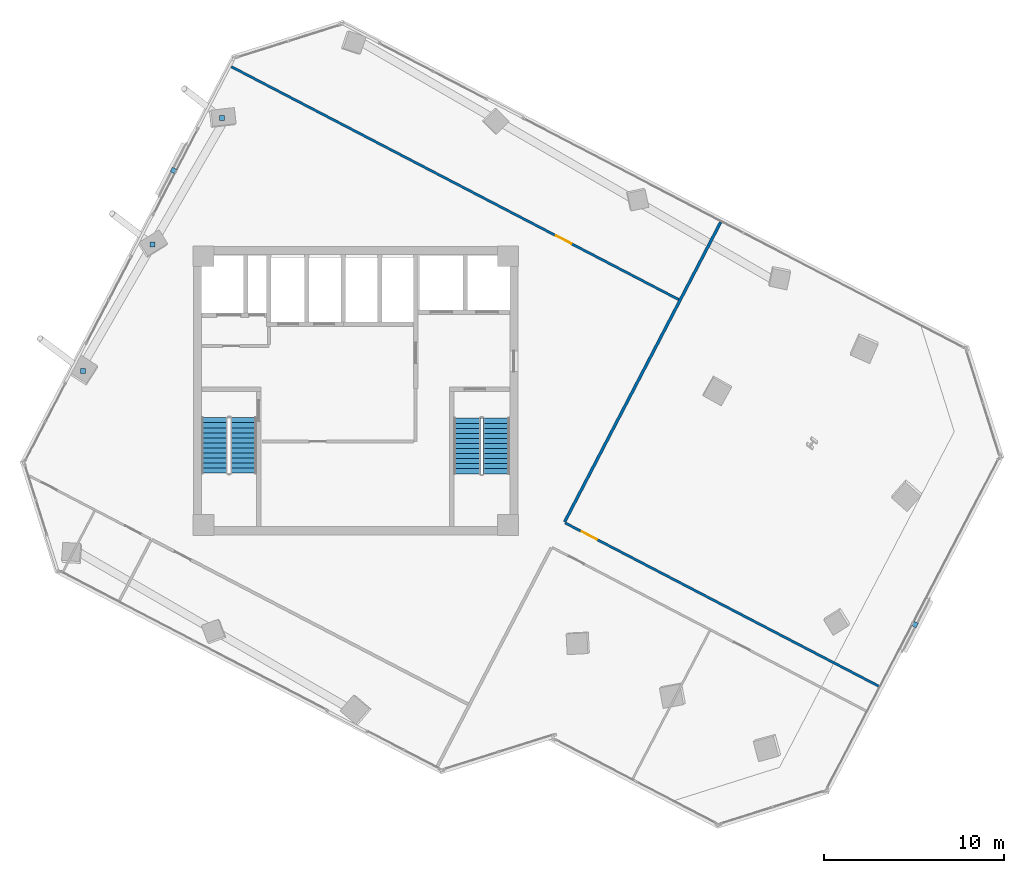
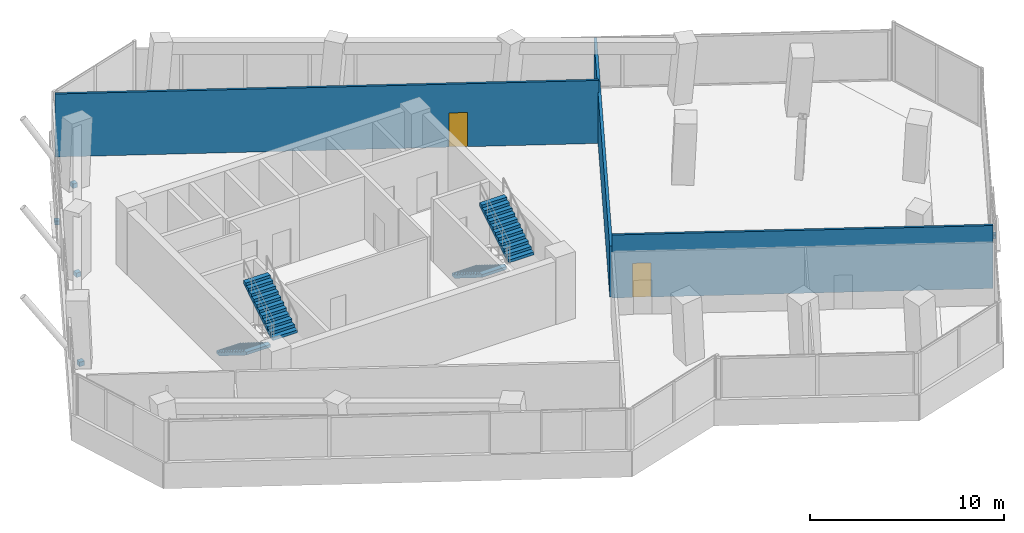
# One storey, part 18 of 22: 5 discrete accessories, 4 stair flights, 3 walls, 2 doors, 2 openings, 2 elements without a shape of their own.
"""IFC4 building model written with IfcOpenShell, lengths in metres."""

from ifc_helpers import new_model, si_unit, direction, frame, frame_2d, origin, origin_2d, place, context, subcontext, project, spatial, polyline, rectangle, outline, extrude, source, transform, mapped, material, layer, layer_set, type_object, element, fill, aggregate, save


model = new_model("IFC4")

# Units and contexts
model_context = context("Model", 3, precision=1e-05, world=origin(), true_north=direction((0.0, 1.0)))
body_context = subcontext(model_context, "Body", "Model", "MODEL_VIEW")
ifc_project = project(units=[si_unit("LENGTHUNIT", "METRE"), si_unit("AREAUNIT", "SQUARE_METRE"), si_unit("VOLUMEUNIT", "CUBIC_METRE"), si_unit("PLANEANGLEUNIT", "RADIAN"), si_unit("MASSUNIT", "GRAM", prefix="KILO")], contexts=[model_context])

# Site, building, storey
site_placement = place(None, origin())
site = spatial("IfcSite", under=ifc_project, at=site_placement, CompositionType="ELEMENT")
building_placement = place(site_placement, origin())
building = spatial("IfcBuilding", under=site, at=building_placement, Name="Torre Montelarca", CompositionType="ELEMENT")
storey_placement = place(building_placement, frame((0.0, 0.0, 175.0)))
storey = spatial("IfcBuildingStorey", under=building, at=storey_placement, Name="L39", CompositionType="ELEMENT", Elevation=175.0)

# Wall
ifc_material_1 = material(Name="Gypsum plasterboard on steel stud", Category="steel")
ifc_layer_1 = layer(ifc_material_1, 0.159912109375, Name="Gypsum plasterboard on steel stud", Category="steel")
ifc_layer_set_1 = layer_set([ifc_layer_1], Name="Gypsum plasterboard on steel stud")
wall_type_1 = type_object("IfcWallType", Name="PW-FIRE-160", PredefinedType="PARTITIONING", material=ifc_layer_set_1)
wall_1_placement = place(storey_placement, frame((29.59326171875, 24.720458984375, 0.0), z_axis=(0.0, 0.0, 1.0), x_axis=(0.461745249096, 0.88701258443, 0.0)))
element("IfcWall", 1, at=wall_1_placement, inside=storey, type_object=wall_type_1, Name="L39 Interior Partition W-L39-ECN", PredefinedType="PARTITIONING", context=body_context, shape_type="SweptSolid", body=[
    extrude(rectangle(XDim=18.739990234375, YDim=0.159912109375, at=frame_2d((9.3701171875, 0.0))), origin(), (0.0, 0.0, 1.0), 3.195068359375),
])

# Wall, opening, door
ifc_layer_2 = layer(ifc_material_1, 0.135009765625, Name="Gypsum plasterboard on steel stud", Category="steel")
ifc_layer_set_2 = layer_set([ifc_layer_2], Name="Gypsum plasterboard on steel stud")
wall_type_2 = type_object("IfcWallType", Name="PW-PART-135", PredefinedType="PARTITIONING", material=ifc_layer_set_2)
wall_2_placement = place(storey_placement, frame((11.103515625, 49.97119140625, 0.0), z_axis=(0.0, 0.0, 1.0), x_axis=(0.887010001249, -0.461750211353, 0.0)))
wall_2 = element("IfcWall", 2, at=wall_2_placement, inside=storey, type_object=wall_type_2, Name="L39 Interior Partition W-L39-NBOT", PredefinedType="PARTITIONING", context=body_context, shape_type="SweptSolid", body=[
    extrude(rectangle(XDim=28.02001953125, YDim=0.135009765625, at=frame_2d((14.010009765625, 0.0))), origin(), (0.0, 0.0, 1.0), 3.9599609375),
])
opening_1_placement = place(wall_2_placement, frame((20.31005859375, 0.0, 0.0)))
opening_1 = element("IfcOpeningElement", 3, at=opening_1_placement, cuts=wall_2, Name="Opening ID-095", PredefinedType="OPENING", context=body_context, shape_type="SweptSolid", body=[
    extrude(rectangle(XDim=0.949951171875, YDim=2.14990234375, at=frame_2d((0.47509765625, 1.074951171875))), frame((0.0, 0.07763671875, 0.0), z_axis=(0.0, -1.0, 0.0), x_axis=(1.0, 0.0, 0.0)), (0.0, 0.0, 1.0), 0.155029296875),
])
ifc_material_2 = material(Name="Hardwood acoustic timber veneer", Category="wood")
door_type = type_object("IfcDoorType", Name="DR-INT-095", OperationType="NOTDEFINED", PredefinedType="DOOR", material=ifc_material_2)
shared_shape_1 = source(origin(), body_context, "Body", "SweptSolid", [
    extrude(rectangle(XDim=0.949951171875, YDim=2.14990234375, at=frame_2d((0.47509765625, 1.074951171875))), frame((0.0, 0.02490234375, 0.0), z_axis=(0.0, -1.0, 0.0), x_axis=(1.0, 0.0, 0.0)), (0.0, 0.0, 1.0), 0.050048828125),
])
door_1_placement = place(opening_1_placement, origin())
door_1 = element("IfcDoor", 4, at=door_1_placement, inside=storey, type_object=door_type, Name="L39 Interior Door 06", OperationType="SINGLE_SWING_LEFT", OverallHeight=2.14990234375, OverallWidth=0.949951171875, PredefinedType="DOOR", context=body_context, shape_type="MappedRepresentation", body=[
    mapped(shared_shape_1, transform((0.0, 0.0, 0.0), scale=1.0)),
])
fill(opening_1, door_1)

wall_3_placement = place(storey_placement, frame((29.610107421875, 24.66650390625, 0.0), z_axis=(0.0, 0.0, 1.0), x_axis=(0.887013798673, -0.461742916527, 0.0)))
wall_3 = element("IfcWall", 5, at=wall_3_placement, inside=storey, type_object=wall_type_2, Name="L39 Interior Partition W-L39-NE-S", PredefinedType="PARTITIONING", context=body_context, shape_type="SweptSolid", body=[
    extrude(rectangle(XDim=19.639892578125, YDim=0.135009765625, at=frame_2d((9.81982421875, 0.0))), origin(), (0.0, 0.0, 1.0), 3.9599609375),
])
opening_2_placement = place(wall_3_placement, frame((1.050048828125, 0.0, 0.0)))
opening_2 = element("IfcOpeningElement", 6, at=opening_2_placement, cuts=wall_3, Name="Opening ID-095", PredefinedType="OPENING", context=body_context, shape_type="SweptSolid", body=[
    extrude(rectangle(XDim=0.949951171875, YDim=2.14990234375, at=frame_2d((0.47509765625, 1.074951171875))), frame((0.0, 0.07763671875, 0.0), z_axis=(0.0, -1.0, 0.0), x_axis=(1.0, 0.0, 0.0)), (0.0, 0.0, 1.0), 0.155029296875),
])
door_2_placement = place(opening_2_placement, origin())
door_2 = element("IfcDoor", 7, at=door_2_placement, inside=storey, type_object=door_type, Name="L39 Interior Door 07", OperationType="SINGLE_SWING_LEFT", OverallHeight=2.14990234375, OverallWidth=0.949951171875, PredefinedType="DOOR", context=body_context, shape_type="MappedRepresentation", body=[
    mapped(shared_shape_1, transform((0.0, 0.0, 0.0), scale=1.0)),
])
fill(opening_2, door_2)

# Stair, stair flights
ifc_material_3 = material(Name="Concrete C40/50", Category="concrete")
stair_type_1 = type_object("IfcStairType", Name="ST-CORE-ST1", PredefinedType="HALF_TURN_STAIR", material=ifc_material_3)
stair_1_placement = place(storey_placement, origin())
stair_1 = element("IfcStair", 8, at=stair_1_placement, inside=storey, type_object=stair_type_1, Name="L39 Protected Exit Stair ST1", PredefinedType="HALF_TURN_STAIR")
stair_flight_type_1 = type_object("IfcStairFlightType", Name="SFL-CORE-ST1", PredefinedType="STRAIGHT", material=ifc_material_3)
stair_flight_1_placement = place(storey_placement, frame((10.175048828125, 30.5, 0.0), z_axis=(0.0, 0.0, 1.0), x_axis=(0.0, -1.0, 0.0)))
stair_flight_1 = element("IfcStairFlight", 9, at=stair_flight_1_placement, type_object=stair_flight_type_1, Name="ST1 flight 1", NumberOfRisers=12, NumberOfTreads=11, PredefinedType="STRAIGHT", RiserHeight=0.175, TreadLength=0.28, context=body_context, shape_type="SweptSolid", body=[
    extrude(outline(polyline([(0.0, 0.0), (0.0, 0.175048828125), (0.280029296875, 0.175048828125), (0.280029296875, 0.35009765625), (0.56005859375, 0.35009765625), (0.56005859375, 0.52490234375), (0.840087890625, 0.52490234375), (0.840087890625, 0.699951171875), (1.1201171875, 0.699951171875), (1.1201171875, 0.875), (1.39990234375, 0.875), (1.39990234375, 1.050048828125), (1.679931640625, 1.050048828125), (1.679931640625, 1.22509765625), (1.9599609375, 1.22509765625), (1.9599609375, 1.39990234375), (2.239990234375, 1.39990234375), (2.239990234375, 1.574951171875), (2.52001953125, 1.574951171875), (2.52001953125, 1.75), (2.800048828125, 1.75), (2.800048828125, 1.925048828125), (3.080078125, 1.925048828125), (3.080078125, 2.10009765625), (3.080078125, 1.748291015625), (0.28271484375, 0.0), (0.0, 0.0)])), frame((0.0, 0.72509765625, 0.0), z_axis=(0.0, -1.0, 0.0), x_axis=(1.0, 0.0, 0.0)), (0.0, 0.0, 1.0), 1.449951171875),
])
stair_flight_2_placement = place(storey_placement, frame((11.77490234375, 27.419921875, 2.10009765625), z_axis=(0.0, 0.0, 1.0), x_axis=(0.0, 1.0, 0.0)))
stair_flight_2 = element("IfcStairFlight", 10, at=stair_flight_2_placement, type_object=stair_flight_type_1, Name="ST1 flight 2", NumberOfRisers=12, NumberOfTreads=11, PredefinedType="STRAIGHT", RiserHeight=0.175, TreadLength=0.28, context=body_context, shape_type="SweptSolid", body=[
    extrude(outline(polyline([(0.0, 0.0), (0.0, 0.175048828125), (0.280029296875, 0.175048828125), (0.280029296875, 0.35009765625), (0.56005859375, 0.35009765625), (0.56005859375, 0.52490234375), (0.840087890625, 0.52490234375), (0.840087890625, 0.699951171875), (1.1201171875, 0.699951171875), (1.1201171875, 0.875), (1.39990234375, 0.875), (1.39990234375, 1.050048828125), (1.679931640625, 1.050048828125), (1.679931640625, 1.22509765625), (1.9599609375, 1.22509765625), (1.9599609375, 1.39990234375), (2.239990234375, 1.39990234375), (2.239990234375, 1.574951171875), (2.52001953125, 1.574951171875), (2.52001953125, 1.75), (2.800048828125, 1.75), (2.800048828125, 1.925048828125), (3.080078125, 1.925048828125), (3.080078125, 2.10009765625), (3.080078125, 1.748291015625), (0.28271484375, 0.0), (0.0, 0.0)])), frame((0.0, 0.72509765625, 0.0), z_axis=(0.0, -1.0, 0.0), x_axis=(1.0, 0.0, 0.0)), (0.0, 0.0, 1.0), 1.449951171875),
])
aggregate(stair_1, [stair_flight_1, stair_flight_2])

stair_type_2 = type_object("IfcStairType", Name="ST-CORE-ST2", PredefinedType="HALF_TURN_STAIR", material=ifc_material_3)
stair_2_placement = place(storey_placement, origin())
stair_2 = element("IfcStair", 11, at=stair_2_placement, inside=storey, type_object=stair_type_2, Name="L39 Protected Exit Stair ST2", PredefinedType="HALF_TURN_STAIR")
stair_flight_type_2 = type_object("IfcStairFlightType", Name="SFL-CORE-ST2", PredefinedType="STRAIGHT", material=ifc_material_3)
stair_flight_3_placement = place(storey_placement, frame((24.179931640625, 30.469970703125, 0.0), z_axis=(0.0, 0.0, 1.0), x_axis=(0.0, -1.0, 0.0)))
stair_flight_3 = element("IfcStairFlight", 12, at=stair_flight_3_placement, type_object=stair_flight_type_2, Name="ST2 flight 1", NumberOfRisers=12, NumberOfTreads=11, PredefinedType="STRAIGHT", RiserHeight=0.175, TreadLength=0.28, context=body_context, shape_type="SweptSolid", body=[
    extrude(outline(polyline([(0.0, 0.0), (0.0, 0.175048828125), (0.280029296875, 0.175048828125), (0.280029296875, 0.35009765625), (0.56005859375, 0.35009765625), (0.56005859375, 0.52490234375), (0.840087890625, 0.52490234375), (0.840087890625, 0.699951171875), (1.1201171875, 0.699951171875), (1.1201171875, 0.875), (1.39990234375, 0.875), (1.39990234375, 1.050048828125), (1.679931640625, 1.050048828125), (1.679931640625, 1.22509765625), (1.9599609375, 1.22509765625), (1.9599609375, 1.39990234375), (2.239990234375, 1.39990234375), (2.239990234375, 1.574951171875), (2.52001953125, 1.574951171875), (2.52001953125, 1.75), (2.800048828125, 1.75), (2.800048828125, 1.925048828125), (3.080078125, 1.925048828125), (3.080078125, 2.10009765625), (3.080078125, 1.748291015625), (0.28271484375, 0.0), (0.0, 0.0)])), frame((0.0, 0.739990234375, 0.0), z_axis=(0.0, -1.0, 0.0), x_axis=(1.0, 0.0, 0.0)), (0.0, 0.0, 1.0), 1.47998046875),
])
stair_flight_4_placement = place(storey_placement, frame((25.81005859375, 27.389892578125, 2.10009765625), z_axis=(0.0, 0.0, 1.0), x_axis=(0.0, 1.0, 0.0)))
stair_flight_4 = element("IfcStairFlight", 13, at=stair_flight_4_placement, type_object=stair_flight_type_2, Name="ST2 flight 2", NumberOfRisers=12, NumberOfTreads=11, PredefinedType="STRAIGHT", RiserHeight=0.175, TreadLength=0.28, context=body_context, shape_type="SweptSolid", body=[
    extrude(outline(polyline([(0.0, 0.0), (0.0, 0.175048828125), (0.280029296875, 0.175048828125), (0.280029296875, 0.35009765625), (0.56005859375, 0.35009765625), (0.56005859375, 0.52490234375), (0.840087890625, 0.52490234375), (0.840087890625, 0.699951171875), (1.1201171875, 0.699951171875), (1.1201171875, 0.875), (1.39990234375, 0.875), (1.39990234375, 1.050048828125), (1.679931640625, 1.050048828125), (1.679931640625, 1.22509765625), (1.9599609375, 1.22509765625), (1.9599609375, 1.39990234375), (2.239990234375, 1.39990234375), (2.239990234375, 1.574951171875), (2.52001953125, 1.574951171875), (2.52001953125, 1.75), (2.800048828125, 1.75), (2.800048828125, 1.925048828125), (3.080078125, 1.925048828125), (3.080078125, 2.10009765625), (3.080078125, 1.748291015625), (0.28271484375, 0.0), (0.0, 0.0)])), frame((0.0, 0.739990234375, 0.0), z_axis=(0.0, -1.0, 0.0), x_axis=(1.0, 0.0, 0.0)), (0.0, 0.0, 1.0), 1.47998046875),
])
aggregate(stair_2, [stair_flight_3, stair_flight_4])

# Discrete accessories
ifc_material_4 = material(Name="Stainless steel AISI 316", Category="steel")
discrete_accessory_type = type_object("IfcDiscreteAccessoryType", Name="ACC-BRACKET-SS", PredefinedType="BRACKET", material=ifc_material_4)
shared_shape_2 = source(origin(), body_context, "Body", "SweptSolid", [
    extrude(rectangle(XDim=0.280029296875, YDim=0.280029296875, at=origin_2d()), origin(), (0.0, 0.0, 1.0), 0.280029296875),
])
for number, where, z_axis, x_axis, name in (
    (14, (2.879150390625, 33.0908203125, 0.009765625), (0.0, 0.0, 1.0), (1.0, 0.0, 0.0), "L40 Raker End Connection Bracket W1-FT"),
    (15, (6.727294921875, 40.104736328125, 0.009765625), (0.0, 0.0, 1.0), (1.0, 0.0, 0.0), "L40 Raker End Connection Bracket W2-FT"),
    (16, (10.5751953125, 47.118408203125, 0.009765625), (0.0, 0.0, 1.0), (1.0, 0.0, 0.0), "L40 Raker End Connection Bracket W3-FT"),
):
    element("IfcDiscreteAccessory", number, at=place(storey_placement, frame(where, z_axis=z_axis, x_axis=x_axis)), inside=storey, type_object=discrete_accessory_type, Name=name, PredefinedType="BRACKET", context=body_context, shape_type="MappedRepresentation", body=[
        mapped(shared_shape_2, transform((0.0, 0.0, 0.0), scale=1.0)),
    ])
shared_shape_3 = source(origin(), body_context, "Body", "SweptSolid", [
    extrude(rectangle(XDim=0.280029296875, YDim=0.260009765625, at=origin_2d()), origin(), (0.0, 0.0, 1.0), 0.239990234375),
])
for number, where, z_axis, x_axis, name in (
    (17, (49.037109375, 19.01806640625, 0.39990234375), (0.0, 0.0, 1.0), (0.461747065108, 0.88701163908, 0.0), "L39 Solar Screen Support Bracket E6-1"),
    (18, (7.88330078125, 44.218505859375, 0.39990234375), (0.0, 0.0, 1.0), (-0.461747065108, -0.88701163908, 0.0), "L39 Solar Screen Support Bracket E10-1"),
):
    element("IfcDiscreteAccessory", number, at=place(storey_placement, frame(where, z_axis=z_axis, x_axis=x_axis)), inside=storey, type_object=discrete_accessory_type, Name=name, PredefinedType="BRACKET", context=body_context, shape_type="MappedRepresentation", body=[
        mapped(shared_shape_3, transform((0.0, 0.0, 0.0), scale=1.0)),
    ])

save(model, "model.ifc")
